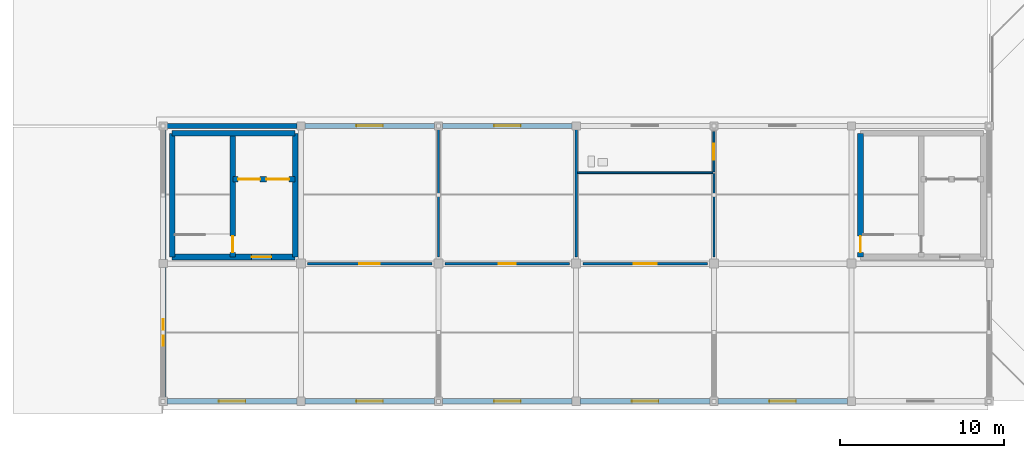
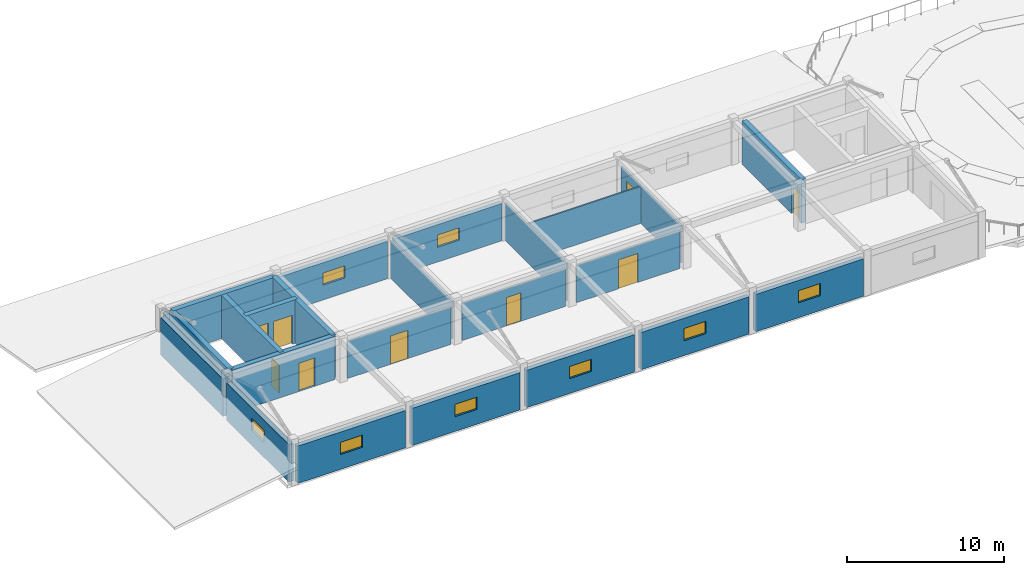
# One storey, part 2 of 5: 25 walls, 9 doors, 8 windows, 17 openings.
"""IFC4 building model written with IfcOpenShell, lengths in metres."""

from ifc_helpers import new_model, si_unit, direction, frame, frame_2d, origin, place, context, subcontext, project, spatial, rectangle, extrude, material, layer, layer_set, type_object, element, fill, save


model = new_model("IFC4")

# Units and contexts
model_context = context("Model", 3, precision=1e-05, world=origin(), true_north=direction((0.0, 1.0)))
body_context = subcontext(model_context, "Body", "Model", "MODEL_VIEW")
ifc_project = project(units=[si_unit("LENGTHUNIT", "METRE"), si_unit("AREAUNIT", "SQUARE_METRE"), si_unit("VOLUMEUNIT", "CUBIC_METRE"), si_unit("PLANEANGLEUNIT", "RADIAN"), si_unit("MASSUNIT", "GRAM", prefix="KILO")], contexts=[model_context])

# Site, building, storey
site_placement = place(None, origin())
site = spatial("IfcSite", under=ifc_project, at=site_placement, CompositionType="ELEMENT")
building_placement = place(site_placement, origin())
building = spatial("IfcBuilding", under=site, at=building_placement, Name="Trelvath General Hospital", CompositionType="ELEMENT")
storey_placement = place(building_placement, frame((0.0, 0.0, 33.0)))
storey = spatial("IfcBuildingStorey", under=building, at=storey_placement, Name="RF", CompositionType="ELEMENT", Elevation=33.0)

# Wall, opening, door
ifc_material_1 = material(Name="Gypsum acoustic steel-stud partition", Category="steel")
ifc_layer_1 = layer(ifc_material_1, 0.14990234375)
ifc_layer_set_1 = layer_set([ifc_layer_1], Name="Gypsum acoustic steel-stud partition")
wall_type_1 = type_object("IfcWallType", Name="ClinicalPartition 150", PredefinedType="PARTITIONING", material=ifc_layer_set_1)
wall_1_placement = place(storey_placement, frame((50.800048828125, 100.800048828125, 0.0), z_axis=(0.0, 0.0, 1.0), x_axis=(1.0, 0.0, 0.0)))
wall_1 = element("IfcWall", 1, at=wall_1_placement, inside=storey, type_object=wall_type_1, Name="Aeromedical Triage Partition RF-1", PredefinedType="PARTITIONING", context=body_context, shape_type="SweptSolid", body=[
    extrude(rectangle(XDim=7.599853515625, YDim=0.14990234375, at=frame_2d((3.7998046875, 0.0))), origin(), (0.0, 0.0, 1.0), 2.8798828125),
])
opening_1_placement = place(wall_1_placement, frame((3.175048828125, 0.0, 0.0)))
opening_1 = element("IfcOpeningElement", 2, at=opening_1_placement, cuts=wall_1, Name="Opening D-F-0281", PredefinedType="OPENING", context=body_context, shape_type="SweptSolid", body=[
    extrude(rectangle(XDim=1.25, YDim=2.199951171875, at=frame_2d((0.625, 1.10009765625))), frame((0.0, 0.0849609375, 0.0), z_axis=(0.0, -1.0, 0.0), x_axis=(1.0, 0.0, 0.0)), (0.0, 0.0, 1.0), 0.169921875),
])
ifc_material_2 = material(Name="Acoustic hospital timber leaf", Category="wood")
door_type_1 = type_object("IfcDoorType", Name="Door Treatment 1250x2200", OperationType="NOTDEFINED", PredefinedType="DOOR", material=ifc_material_2)
door_1_placement = place(opening_1_placement, origin())
door_1 = element("IfcDoor", 3, at=door_1_placement, inside=storey, type_object=door_type_1, Name="Aeromedical Triage Door RF-281", OperationType="SINGLE_SWING_RIGHT", OverallHeight=2.199951171875, OverallWidth=1.25, PredefinedType="DOOR", context=body_context, shape_type="SweptSolid", body=[
    extrude(rectangle(XDim=1.25, YDim=2.199951171875, at=frame_2d((0.625, 1.10009765625))), frame((0.0, 0.02490234375, 0.0), z_axis=(0.0, -1.0, 0.0), x_axis=(1.0, 0.0, 0.0)), (0.0, 0.0, 1.0), 0.050048828125),
])
fill(opening_1, door_1)

wall_2_placement = place(storey_placement, frame((59.199951171875, 100.800048828125, 0.0), z_axis=(0.0, 0.0, 1.0), x_axis=(1.0, 0.0, 0.0)))
wall_2 = element("IfcWall", 4, at=wall_2_placement, inside=storey, type_object=wall_type_1, Name="Flight Dispatch Partition RF-2", PredefinedType="PARTITIONING", context=body_context, shape_type="SweptSolid", body=[
    extrude(rectangle(XDim=7.60009765625, YDim=0.14990234375, at=frame_2d((3.800048828125, 0.0))), origin(), (0.0, 0.0, 1.0), 2.8798828125),
])
opening_2_placement = place(wall_2_placement, frame((3.27490234375, 0.0, 0.0)))
opening_2 = element("IfcOpeningElement", 5, at=opening_2_placement, cuts=wall_2, Name="Opening D-F-0282", PredefinedType="OPENING", context=body_context, shape_type="SweptSolid", body=[
    extrude(rectangle(XDim=1.050048828125, YDim=2.199951171875, at=frame_2d((0.52490234375, 1.10009765625))), frame((0.0, 0.0849609375, 0.0), z_axis=(0.0, -1.0, 0.0), x_axis=(1.0, 0.0, 0.0)), (0.0, 0.0, 1.0), 0.169921875),
])
ifc_material_3 = material(Name="Acoustic hospital timber leaf", Category="wood")
door_type_2 = type_object("IfcDoorType", Name="Door Consult 1050x2200", OperationType="NOTDEFINED", PredefinedType="DOOR", material=ifc_material_3)
door_2_placement = place(opening_2_placement, origin())
door_2 = element("IfcDoor", 6, at=door_2_placement, inside=storey, type_object=door_type_2, Name="Flight Dispatch Door RF-282", OperationType="SINGLE_SWING_LEFT", OverallHeight=2.199951171875, OverallWidth=1.050048828125, PredefinedType="DOOR", context=body_context, shape_type="SweptSolid", body=[
    extrude(rectangle(XDim=1.050048828125, YDim=2.199951171875, at=frame_2d((0.52490234375, 1.10009765625))), frame((0.0, 0.02490234375, 0.0), z_axis=(0.0, -1.0, 0.0), x_axis=(1.0, 0.0, 0.0)), (0.0, 0.0, 1.0), 0.050048828125),
])
fill(opening_2, door_2)

wall_3_placement = place(storey_placement, frame((67.60009765625, 100.800048828125, 0.0), z_axis=(0.0, 0.0, 1.0), x_axis=(1.0, 0.0, 0.0)))
wall_3 = element("IfcWall", 7, at=wall_3_placement, inside=storey, type_object=wall_type_1, Name="Helipad Foam Plant Partition RF-3", PredefinedType="PARTITIONING", context=body_context, shape_type="SweptSolid", body=[
    extrude(rectangle(XDim=7.599853515625, YDim=0.14990234375, at=frame_2d((3.7998046875, 0.0))), origin(), (0.0, 0.0, 1.0), 2.8798828125),
])
opening_3_placement = place(wall_3_placement, frame((3.10009765625, 0.0, 0.0)))
opening_3 = element("IfcOpeningElement", 8, at=opening_3_placement, cuts=wall_3, Name="Opening D-F-0283", PredefinedType="OPENING", context=body_context, shape_type="SweptSolid", body=[
    extrude(rectangle(XDim=1.39990234375, YDim=2.25, at=frame_2d((0.699951171875, 1.125))), frame((0.0, 0.0849609375, 0.0), z_axis=(0.0, -1.0, 0.0), x_axis=(1.0, 0.0, 0.0)), (0.0, 0.0, 1.0), 0.169921875),
])
ifc_material_4 = material(Name="Fire-rated steel plant pair", Category="steel")
door_type_3 = type_object("IfcDoorType", Name="Door Plant 1400x2250", OperationType="DOUBLE_SWING_LEFT", PredefinedType="DOOR", material=ifc_material_4)
door_3_placement = place(opening_3_placement, origin())
door_3 = element("IfcDoor", 9, at=door_3_placement, inside=storey, type_object=door_type_3, Name="Helipad Foam Plant Door RF-283", OperationType="DOUBLE_SWING_LEFT", OverallHeight=2.25, OverallWidth=1.39990234375, PredefinedType="DOOR", context=body_context, shape_type="SweptSolid", body=[
    extrude(rectangle(XDim=1.39990234375, YDim=2.25, at=frame_2d((0.699951171875, 1.125))), frame((0.0, 0.02490234375, 0.0), z_axis=(0.0, -1.0, 0.0), x_axis=(1.0, 0.0, 0.0)), (0.0, 0.0, 1.0), 0.050048828125),
])
fill(opening_3, door_3)

ifc_material_5 = material(Name="Concrete C40/50", Category="concrete")
ifc_layer_2 = layer(ifc_material_5, 0.35009765625)
ifc_layer_set_2 = layer_set([ifc_layer_2], Name="Concrete C40/50")
wall_type_2 = type_object("IfcWallType", Name="CoreShearWall 350", PredefinedType="SHEAR", material=ifc_layer_set_2)
wall_4_placement = place(storey_placement, frame((42.550048828125, 101.199951171875, 0.0), z_axis=(0.0, 0.0, 1.0), x_axis=(1.0, 0.0, 0.0)))
wall_4 = element("IfcWall", 10, at=wall_4_placement, inside=storey, type_object=wall_type_2, Name="Core Shear Wall C1 S RF", PredefinedType="SHEAR", context=body_context, shape_type="SweptSolid", body=[
    extrude(rectangle(XDim=7.5, YDim=0.35009765625, at=frame_2d((3.75, 0.0))), origin(), (0.0, 0.0, 1.0), 3.3798828125),
])
opening_4_placement = place(wall_4_placement, frame((4.85009765625, 0.0, 0.0)))
opening_4 = element("IfcOpeningElement", 11, at=opening_4_placement, cuts=wall_4, Name="Opening FD-LS18", PredefinedType="OPENING", context=body_context, shape_type="SweptSolid", body=[
    extrude(rectangle(XDim=1.199951171875, YDim=2.199951171875, at=frame_2d((0.60009765625, 1.10009765625))), frame((0.0, 0.18505859375, 0.0), z_axis=(0.0, -1.0, 0.0), x_axis=(1.0, 0.0, 0.0)), (0.0, 0.0, 1.0), 0.3701171875),
])
ifc_material_6 = material(Name="Fire-rated steel door", Category="steel")
door_type_4 = type_object("IfcDoorType", Name="Door FireLobby 1200x2200", OperationType="NOTDEFINED", PredefinedType="DOOR", material=ifc_material_6)
door_4_placement = place(opening_4_placement, origin())
door_4 = element("IfcDoor", 12, at=door_4_placement, inside=storey, type_object=door_type_4, Name="Fire Lobby South Door C1 RF", OperationType="SINGLE_SWING_LEFT", OverallHeight=2.199951171875, OverallWidth=1.199951171875, PredefinedType="DOOR", context=body_context, shape_type="SweptSolid", body=[
    extrude(rectangle(XDim=1.199951171875, YDim=2.199951171875, at=frame_2d((0.60009765625, 1.10009765625))), frame((0.0, 0.02490234375, 0.0), z_axis=(0.0, -1.0, 0.0), x_axis=(1.0, 0.0, 0.0)), (0.0, 0.0, 1.0), 0.050048828125),
])
fill(opening_4, door_4)

# Walls
wall_5_placement = place(storey_placement, frame((42.550048828125, 108.75, 0.0), z_axis=(0.0, 0.0, 1.0), x_axis=(1.0, 0.0, 0.0)))
element("IfcWall", 13, at=wall_5_placement, inside=storey, type_object=wall_type_2, Name="Core Shear Wall C1 N RF", PredefinedType="SHEAR", context=body_context, shape_type="SweptSolid", body=[
    extrude(rectangle(XDim=7.5, YDim=0.35009765625, at=frame_2d((3.75, 0.0))), origin(), (0.0, 0.0, 1.0), 3.3798828125),
])
for number, where, z_axis, x_axis, name in (
    (14, (42.550048828125, 101.199951171875, 0.0), (0.0, 0.0, 1.0), (0.0, 1.0, 0.0), "Core Shear Wall C1 W RF"),
    (15, (50.050048828125, 101.199951171875, 0.0), (0.0, 0.0, 1.0), (0.0, 1.0, 0.0), "Core Shear Wall C1 E RF"),
):
    element("IfcWall", number, at=place(storey_placement, frame(where, z_axis=z_axis, x_axis=x_axis)), inside=storey, type_object=wall_type_2, Name=name, PredefinedType="SHEAR", context=body_context, shape_type="SweptSolid", body=[
        extrude(rectangle(XDim=7.550048828125, YDim=0.35009765625, at=frame_2d((3.77490234375, 0.0))), origin(), (0.0, 0.0, 1.0), 3.3798828125),
    ])

# Wall, opening, door
wall_6_placement = place(storey_placement, frame((46.25, 101.199951171875, 0.0), z_axis=(0.0, 0.0, 1.0), x_axis=(0.0, 1.0, 0.0)))
wall_6 = element("IfcWall", 16, at=wall_6_placement, inside=storey, type_object=wall_type_2, Name="Core Shear Wall C1 SPINE RF", PredefinedType="SHEAR", context=body_context, shape_type="SweptSolid", body=[
    extrude(rectangle(XDim=7.550048828125, YDim=0.35009765625, at=frame_2d((3.77490234375, 0.0))), origin(), (0.0, 0.0, 1.0), 3.3798828125),
])
opening_5_placement = place(wall_6_placement, frame((0.280029296875, 0.0, 0.0)))
opening_5 = element("IfcOpeningElement", 17, at=opening_5_placement, cuts=wall_6, Name="Opening FD-S18", PredefinedType="OPENING", context=body_context, shape_type="SweptSolid", body=[
    extrude(rectangle(XDim=1.0, YDim=2.14990234375, at=frame_2d((0.5, 1.074951171875))), frame((0.0, 0.18505859375, 0.0), z_axis=(0.0, -1.0, 0.0), x_axis=(1.0, 0.0, 0.0)), (0.0, 0.0, 1.0), 0.3701171875),
])
ifc_material_7 = material(Name="Fire-rated steel door", Category="steel")
door_type_5 = type_object("IfcDoorType", Name="Door FireStair 1100x2150", OperationType="NOTDEFINED", PredefinedType="DOOR", material=ifc_material_7)
door_5_placement = place(opening_5_placement, origin())
door_5 = element("IfcDoor", 18, at=door_5_placement, inside=storey, type_object=door_type_5, Name="Exit Stair Door ST1 RF", OperationType="SINGLE_SWING_RIGHT", OverallHeight=2.14990234375, OverallWidth=1.0, PredefinedType="DOOR", context=body_context, shape_type="SweptSolid", body=[
    extrude(rectangle(XDim=1.0, YDim=2.14990234375, at=frame_2d((0.5, 1.074951171875))), frame((0.0, 0.02490234375, 0.0), z_axis=(0.0, -1.0, 0.0), x_axis=(1.0, 0.0, 0.0)), (0.0, 0.0, 1.0), 0.050048828125),
])
fill(opening_5, door_5)

# Wall, openings, doors
wall_7_placement = place(storey_placement, frame((46.25, 105.949951171875, 0.0), z_axis=(0.0, 0.0, 1.0), x_axis=(1.0, 0.0, 0.0)))
wall_7 = element("IfcWall", 19, at=wall_7_placement, inside=storey, type_object=wall_type_2, Name="Core Shear Wall C1 SHAFT RF", PredefinedType="SHEAR", context=body_context, shape_type="SweptSolid", body=[
    extrude(rectangle(XDim=3.800048828125, YDim=0.35009765625, at=frame_2d((1.89990234375, 0.0))), origin(), (0.0, 0.0, 1.0), 3.3798828125),
])
opening_6_placement = place(wall_7_placement, frame((0.320068359375, 0.0, 0.0)))
opening_6 = element("IfcOpeningElement", 20, at=opening_6_placement, cuts=wall_7, Name="Opening LD-FF1-8", PredefinedType="OPENING", context=body_context, shape_type="SweptSolid", body=[
    extrude(rectangle(XDim=1.35009765625, YDim=2.25, at=frame_2d((0.675048828125, 1.125))), frame((0.0, 0.18505859375, 0.0), z_axis=(0.0, -1.0, 0.0), x_axis=(1.0, 0.0, 0.0)), (0.0, 0.0, 1.0), 0.3701171875),
])
opening_7_placement = place(wall_7_placement, frame((2.0400390625, 0.0, 0.0)))
opening_7 = element("IfcOpeningElement", 21, at=opening_7_placement, cuts=wall_7, Name="Opening LD-BD1-8", PredefinedType="OPENING", context=body_context, shape_type="SweptSolid", body=[
    extrude(rectangle(XDim=1.39990234375, YDim=2.25, at=frame_2d((0.699951171875, 1.125))), frame((0.0, 0.18505859375, 0.0), z_axis=(0.0, -1.0, 0.0), x_axis=(1.0, 0.0, 0.0)), (0.0, 0.0, 1.0), 0.3701171875),
])
ifc_material_8 = material(Name="Stainless steel stretcher lift landing door", Category="steel")
door_type_6 = type_object("IfcDoorType", Name="Door LiftBed 1400x2250", OperationType="SLIDING_TO_LEFT", PredefinedType="DOOR", material=ifc_material_8)
door_6_placement = place(opening_7_placement, origin())
door_6 = element("IfcDoor", 22, at=door_6_placement, inside=storey, type_object=door_type_6, Name="Lift Landing Sliding Door LF-BD1 RF", OperationType="SLIDING_TO_LEFT", OverallHeight=2.25, OverallWidth=1.39990234375, PredefinedType="DOOR", context=body_context, shape_type="SweptSolid", body=[
    extrude(rectangle(XDim=1.39990234375, YDim=2.25, at=frame_2d((0.699951171875, 1.125))), frame((0.0, 0.02490234375, 0.0), z_axis=(0.0, -1.0, 0.0), x_axis=(1.0, 0.0, 0.0)), (0.0, 0.0, 1.0), 0.050048828125),
])
fill(opening_7, door_6)
ifc_material_9 = material(Name="Fire-rated stainless lift landing door")
door_type_7 = type_object("IfcDoorType", Name="Door LiftFire 1350x2250", OperationType="SLIDING_TO_LEFT", PredefinedType="DOOR", material=ifc_material_9)
door_7_placement = place(opening_6_placement, origin())
door_7 = element("IfcDoor", 23, at=door_7_placement, inside=storey, type_object=door_type_7, Name="Lift Landing Sliding Door LF-FF1 RF", OperationType="SLIDING_TO_LEFT", OverallHeight=2.25, OverallWidth=1.35009765625, PredefinedType="DOOR", context=body_context, shape_type="SweptSolid", body=[
    extrude(rectangle(XDim=1.35009765625, YDim=2.25, at=frame_2d((0.675048828125, 1.125))), frame((0.0, 0.02490234375, 0.0), z_axis=(0.0, -1.0, 0.0), x_axis=(1.0, 0.0, 0.0)), (0.0, 0.0, 1.0), 0.050048828125),
])
fill(opening_6, door_7)

# Wall, opening, door
wall_8_placement = place(storey_placement, frame((84.550048828125, 101.199951171875, 0.0), z_axis=(0.0, 0.0, 1.0), x_axis=(0.0, 1.0, 0.0)))
wall_8 = element("IfcWall", 24, at=wall_8_placement, inside=storey, type_object=wall_type_2, Name="Core Shear Wall C2 W RF", PredefinedType="SHEAR", context=body_context, shape_type="SweptSolid", body=[
    extrude(rectangle(XDim=7.550048828125, YDim=0.35009765625, at=frame_2d((3.77490234375, 0.0))), origin(), (0.0, 0.0, 1.0), 3.3798828125),
])
opening_8_placement = place(wall_8_placement, frame((0.280029296875, 0.0, 0.0)))
opening_8 = element("IfcOpeningElement", 25, at=opening_8_placement, cuts=wall_8, Name="Opening FD-SW28", PredefinedType="OPENING", context=body_context, shape_type="SweptSolid", body=[
    extrude(rectangle(XDim=1.0, YDim=2.14990234375, at=frame_2d((0.5, 1.074951171875))), frame((0.0, 0.18505859375, 0.0), z_axis=(0.0, -1.0, 0.0), x_axis=(1.0, 0.0, 0.0)), (0.0, 0.0, 1.0), 0.3701171875),
])
door_8_placement = place(opening_8_placement, origin())
door_8 = element("IfcDoor", 26, at=door_8_placement, inside=storey, type_object=door_type_5, Name="West Corridor Stair Door ST2 RF", OperationType="SINGLE_SWING_RIGHT", OverallHeight=2.14990234375, OverallWidth=1.0, PredefinedType="DOOR", context=body_context, shape_type="SweptSolid", body=[
    extrude(rectangle(XDim=1.0, YDim=2.14990234375, at=frame_2d((0.5, 1.074951171875))), frame((0.0, 0.02490234375, 0.0), z_axis=(0.0, -1.0, 0.0), x_axis=(1.0, 0.0, 0.0)), (0.0, 0.0, 1.0), 0.050048828125),
])
fill(opening_8, door_8)

# Wall
ifc_material_10 = material(Name="Moisture-resistant tile partition")
ifc_layer_3 = layer(ifc_material_10, 0.110107421875)
ifc_layer_set_3 = layer_set([ifc_layer_3], Name="Moisture-resistant tile partition")
wall_type_3 = type_object("IfcWallType", Name="EnSuiteWetWall 110", PredefinedType="PARTITIONING", material=ifc_layer_set_3)
wall_9_placement = place(storey_placement, frame((67.280029296875, 106.340087890625, 0.0), z_axis=(0.0, 0.0, 1.0), x_axis=(1.0, 0.0, 0.0)))
element("IfcWall", 27, at=wall_9_placement, inside=storey, type_object=wall_type_3, Name="Aeromedical WC Dividing Wall RF", PredefinedType="PARTITIONING", context=body_context, shape_type="SweptSolid", body=[
    extrude(rectangle(XDim=8.260009765625, YDim=0.110107421875, at=frame_2d((4.1298828125, 0.0))), origin(), (0.0, 0.0, 1.0), 2.8798828125),
])

# Wall, opening, door
wall_10_placement = place(storey_placement, frame((75.60009765625, 106.39990234375, 0.0), z_axis=(0.0, 0.0, 1.0), x_axis=(0.0, 1.0, 0.0)))
wall_10 = element("IfcWall", 28, at=wall_10_placement, inside=storey, type_object=wall_type_3, Name="Aeromedical Accessible WC Partition RF-8", PredefinedType="PARTITIONING", context=body_context, shape_type="SweptSolid", body=[
    extrude(rectangle(XDim=2.4501953125, YDim=0.110107421875, at=frame_2d((1.22509765625, 0.0))), origin(), (0.0, 0.0, 1.0), 2.8798828125),
])
opening_9_placement = place(wall_10_placement, frame((0.75, 0.0, 0.0)))
opening_9 = element("IfcOpeningElement", 29, at=opening_9_placement, cuts=wall_10, Name="Opening D-F-0284", PredefinedType="OPENING", context=body_context, shape_type="SweptSolid", body=[
    extrude(rectangle(XDim=0.949951171875, YDim=2.14990234375, at=frame_2d((0.47509765625, 1.074951171875))), frame((0.0, 0.06494140625, 0.0), z_axis=(0.0, -1.0, 0.0), x_axis=(1.0, 0.0, 0.0)), (0.0, 0.0, 1.0), 0.130126953125),
])
ifc_material_11 = material(Name="Moisture-sealed timber leaf", Category="wood")
door_type_8 = type_object("IfcDoorType", Name="Door AccessibleWC 950x2150", OperationType="NOTDEFINED", PredefinedType="DOOR", material=ifc_material_11)
door_9_placement = place(opening_9_placement, origin())
door_9 = element("IfcDoor", 30, at=door_9_placement, inside=storey, type_object=door_type_8, Name="Aeromedical Accessible WC Door RF-284", OperationType="SINGLE_SWING_RIGHT", OverallHeight=2.14990234375, OverallWidth=0.949951171875, PredefinedType="DOOR", context=body_context, shape_type="SweptSolid", body=[
    extrude(rectangle(XDim=0.949951171875, YDim=2.14990234375, at=frame_2d((0.47509765625, 1.074951171875))), frame((0.0, 0.02490234375, 0.0), z_axis=(0.0, -1.0, 0.0), x_axis=(1.0, 0.0, 0.0)), (0.0, 0.0, 1.0), 0.050048828125),
])
fill(opening_9, door_9)

# Wall, opening, window
ifc_material_12 = material(Name="Concrete C35/45", Category="concrete")
ifc_layer_4 = layer(ifc_material_12, 0.320068359375)
ifc_layer_set_4 = layer_set([ifc_layer_4], Name="Concrete C35/45")
wall_type_4 = type_object("IfcWallType", Name="ExtThermalWall 320", PredefinedType="SOLIDWALL", material=ifc_layer_set_4)
wall_11_placement = place(storey_placement, frame((50.155029296875, 92.39990234375, 0.0), z_axis=(0.0, 0.0, 1.0), x_axis=(-1.0, 0.0, 0.0)))
wall_11 = element("IfcWall", 31, at=wall_11_placement, inside=storey, type_object=wall_type_4, Name="Exterior Concrete Wall RF-632", PredefinedType="SOLIDWALL", context=body_context, shape_type="SweptSolid", body=[
    extrude(rectangle(XDim=7.909912109375, YDim=0.320068359375, at=frame_2d((3.955078125, 0.0))), origin(), (0.0, 0.0, 1.0), 2.89990234375),
])
opening_10_placement = place(wall_11_placement, frame((3.14501953125, 0.0, 1.14990234375)))
opening_10 = element("IfcOpeningElement", 32, at=opening_10_placement, cuts=wall_11, Name="Opening WN-R-1069", PredefinedType="OPENING", context=body_context, shape_type="SweptSolid", body=[
    extrude(rectangle(XDim=1.6201171875, YDim=0.949951171875, at=frame_2d((0.81005859375, 0.47509765625))), frame((0.0, 0.169921875, 0.0), z_axis=(0.0, -1.0, 0.0), x_axis=(1.0, 0.0, 0.0)), (0.0, 0.0, 1.0), 0.340087890625),
])
ifc_material_13 = material(Name="Low-E laminated glass", Category="glass")
window_type = type_object("IfcWindowType", Name="Window EmergencyClere 1620x950", PartitioningType="DOUBLE_PANEL_VERTICAL", PredefinedType="WINDOW", material=ifc_material_13)
window_1_placement = place(opening_10_placement, origin())
window_1 = element("IfcWindow", 33, at=window_1_placement, inside=storey, type_object=window_type, Name="Helipad Headhouse Clerestory Window RF-1069", OverallHeight=0.949951171875, OverallWidth=1.6201171875, PartitioningType="SINGLE_PANEL", PredefinedType="WINDOW", context=body_context, shape_type="SweptSolid", body=[
    extrude(rectangle(XDim=1.6201171875, YDim=0.949951171875, at=frame_2d((0.81005859375, 0.47509765625))), frame((0.0, 0.030029296875, 0.0), z_axis=(0.0, -1.0, 0.0), x_axis=(1.0, 0.0, 0.0)), (0.0, 0.0, 1.0), 0.06005859375),
])
fill(opening_10, window_1)

wall_12_placement = place(storey_placement, frame((42.0, 92.64501953125, 0.0), z_axis=(0.0, 0.0, 1.0), x_axis=(0.0, 1.0, 0.0)))
wall_12 = element("IfcWall", 34, at=wall_12_placement, inside=storey, type_object=wall_type_4, Name="Exterior Concrete Wall RF-633", PredefinedType="SOLIDWALL", context=body_context, shape_type="SweptSolid", body=[
    extrude(rectangle(XDim=7.909912109375, YDim=0.320068359375, at=frame_2d((3.955078125, 0.0))), origin(), (0.0, 0.0, 1.0), 2.89990234375),
])
opening_11_placement = place(wall_12_placement, frame((3.14501953125, 0.0, 1.14990234375)))
opening_11 = element("IfcOpeningElement", 35, at=opening_11_placement, cuts=wall_12, Name="Opening WN-R-1070", PredefinedType="OPENING", context=body_context, shape_type="SweptSolid", body=[
    extrude(rectangle(XDim=1.6201171875, YDim=0.949951171875, at=frame_2d((0.81005859375, 0.47509765625))), frame((0.0, 0.169921875, 0.0), z_axis=(0.0, -1.0, 0.0), x_axis=(1.0, 0.0, 0.0)), (0.0, 0.0, 1.0), 0.340087890625),
])
window_2_placement = place(opening_11_placement, origin())
window_2 = element("IfcWindow", 36, at=window_2_placement, inside=storey, type_object=window_type, Name="Helipad Headhouse Clerestory Window RF-1070", OverallHeight=0.949951171875, OverallWidth=1.6201171875, PartitioningType="SINGLE_PANEL", PredefinedType="WINDOW", context=body_context, shape_type="SweptSolid", body=[
    extrude(rectangle(XDim=1.6201171875, YDim=0.949951171875, at=frame_2d((0.81005859375, 0.47509765625))), frame((0.0, 0.030029296875, 0.0), z_axis=(0.0, -1.0, 0.0), x_axis=(1.0, 0.0, 0.0)), (0.0, 0.0, 1.0), 0.06005859375),
])
fill(opening_11, window_2)

# Walls
wall_13_placement = place(storey_placement, frame((42.2451171875, 109.199951171875, 0.0), z_axis=(0.0, 0.0, 1.0), x_axis=(1.0, 0.0, 0.0)))
element("IfcWall", 37, at=wall_13_placement, inside=storey, type_object=wall_type_4, Name="Exterior Concrete Wall RF-634", PredefinedType="SOLIDWALL", context=body_context, shape_type="SweptSolid", body=[
    extrude(rectangle(XDim=7.909912109375, YDim=0.320068359375, at=frame_2d((3.955078125, 0.0))), origin(), (0.0, 0.0, 1.0), 2.89990234375),
])
wall_14_placement = place(storey_placement, frame((42.0, 101.044921875, 0.0), z_axis=(0.0, 0.0, 1.0), x_axis=(0.0, 1.0, 0.0)))
element("IfcWall", 38, at=wall_14_placement, inside=storey, type_object=wall_type_4, Name="Exterior Concrete Wall RF-635", PredefinedType="SOLIDWALL", context=body_context, shape_type="SweptSolid", body=[
    extrude(rectangle(XDim=7.91015625, YDim=0.320068359375, at=frame_2d((3.955078125, 0.0))), origin(), (0.0, 0.0, 1.0), 2.89990234375),
])

# Wall, opening, window
wall_15_placement = place(storey_placement, frame((58.554931640625, 92.39990234375, 0.0), z_axis=(0.0, 0.0, 1.0), x_axis=(-1.0, 0.0, 0.0)))
wall_15 = element("IfcWall", 39, at=wall_15_placement, inside=storey, type_object=wall_type_4, Name="Exterior Concrete Wall RF-636", PredefinedType="SOLIDWALL", context=body_context, shape_type="SweptSolid", body=[
    extrude(rectangle(XDim=7.909912109375, YDim=0.320068359375, at=frame_2d((3.955078125, 0.0))), origin(), (0.0, 0.0, 1.0), 2.89990234375),
])
opening_12_placement = place(wall_15_placement, frame((3.14501953125, 0.0, 1.14990234375)))
opening_12 = element("IfcOpeningElement", 40, at=opening_12_placement, cuts=wall_15, Name="Opening WN-R-1071", PredefinedType="OPENING", context=body_context, shape_type="SweptSolid", body=[
    extrude(rectangle(XDim=1.6201171875, YDim=0.949951171875, at=frame_2d((0.81005859375, 0.47509765625))), frame((0.0, 0.169921875, 0.0), z_axis=(0.0, -1.0, 0.0), x_axis=(1.0, 0.0, 0.0)), (0.0, 0.0, 1.0), 0.340087890625),
])
window_3_placement = place(opening_12_placement, origin())
window_3 = element("IfcWindow", 41, at=window_3_placement, inside=storey, type_object=window_type, Name="Helipad Headhouse Clerestory Window RF-1071", OverallHeight=0.949951171875, OverallWidth=1.6201171875, PartitioningType="SINGLE_PANEL", PredefinedType="WINDOW", context=body_context, shape_type="SweptSolid", body=[
    extrude(rectangle(XDim=1.6201171875, YDim=0.949951171875, at=frame_2d((0.81005859375, 0.47509765625))), frame((0.0, 0.030029296875, 0.0), z_axis=(0.0, -1.0, 0.0), x_axis=(1.0, 0.0, 0.0)), (0.0, 0.0, 1.0), 0.06005859375),
])
fill(opening_12, window_3)

wall_16_placement = place(storey_placement, frame((50.64501953125, 109.199951171875, 0.0), z_axis=(0.0, 0.0, 1.0), x_axis=(1.0, 0.0, 0.0)))
wall_16 = element("IfcWall", 42, at=wall_16_placement, inside=storey, type_object=wall_type_4, Name="Exterior Concrete Wall RF-637", PredefinedType="SOLIDWALL", context=body_context, shape_type="SweptSolid", body=[
    extrude(rectangle(XDim=7.909912109375, YDim=0.320068359375, at=frame_2d((3.955078125, 0.0))), origin(), (0.0, 0.0, 1.0), 2.89990234375),
])
opening_13_placement = place(wall_16_placement, frame((3.14501953125, 0.0, 1.14990234375)))
opening_13 = element("IfcOpeningElement", 43, at=opening_13_placement, cuts=wall_16, Name="Opening WN-R-1072", PredefinedType="OPENING", context=body_context, shape_type="SweptSolid", body=[
    extrude(rectangle(XDim=1.6201171875, YDim=0.949951171875, at=frame_2d((0.81005859375, 0.47509765625))), frame((0.0, 0.169921875, 0.0), z_axis=(0.0, -1.0, 0.0), x_axis=(1.0, 0.0, 0.0)), (0.0, 0.0, 1.0), 0.340087890625),
])
window_4_placement = place(opening_13_placement, origin())
window_4 = element("IfcWindow", 44, at=window_4_placement, inside=storey, type_object=window_type, Name="Helipad Headhouse Clerestory Window RF-1072", OverallHeight=0.949951171875, OverallWidth=1.6201171875, PartitioningType="SINGLE_PANEL", PredefinedType="WINDOW", context=body_context, shape_type="SweptSolid", body=[
    extrude(rectangle(XDim=1.6201171875, YDim=0.949951171875, at=frame_2d((0.81005859375, 0.47509765625))), frame((0.0, 0.030029296875, 0.0), z_axis=(0.0, -1.0, 0.0), x_axis=(1.0, 0.0, 0.0)), (0.0, 0.0, 1.0), 0.06005859375),
])
fill(opening_13, window_4)

wall_17_placement = place(storey_placement, frame((66.955078125, 92.39990234375, 0.0), z_axis=(0.0, 0.0, 1.0), x_axis=(-1.0, 0.0, 0.0)))
wall_17 = element("IfcWall", 45, at=wall_17_placement, inside=storey, type_object=wall_type_4, Name="Exterior Concrete Wall RF-638", PredefinedType="SOLIDWALL", context=body_context, shape_type="SweptSolid", body=[
    extrude(rectangle(XDim=7.91015625, YDim=0.320068359375, at=frame_2d((3.955078125, 0.0))), origin(), (0.0, 0.0, 1.0), 2.89990234375),
])
opening_14_placement = place(wall_17_placement, frame((3.14501953125, 0.0, 1.14990234375)))
opening_14 = element("IfcOpeningElement", 46, at=opening_14_placement, cuts=wall_17, Name="Opening WN-R-1073", PredefinedType="OPENING", context=body_context, shape_type="SweptSolid", body=[
    extrude(rectangle(XDim=1.6201171875, YDim=0.949951171875, at=frame_2d((0.81005859375, 0.47509765625))), frame((0.0, 0.169921875, 0.0), z_axis=(0.0, -1.0, 0.0), x_axis=(1.0, 0.0, 0.0)), (0.0, 0.0, 1.0), 0.340087890625),
])
window_5_placement = place(opening_14_placement, origin())
window_5 = element("IfcWindow", 47, at=window_5_placement, inside=storey, type_object=window_type, Name="Helipad Headhouse Clerestory Window RF-1073", OverallHeight=0.949951171875, OverallWidth=1.6201171875, PartitioningType="SINGLE_PANEL", PredefinedType="WINDOW", context=body_context, shape_type="SweptSolid", body=[
    extrude(rectangle(XDim=1.6201171875, YDim=0.949951171875, at=frame_2d((0.81005859375, 0.47509765625))), frame((0.0, 0.030029296875, 0.0), z_axis=(0.0, -1.0, 0.0), x_axis=(1.0, 0.0, 0.0)), (0.0, 0.0, 1.0), 0.06005859375),
])
fill(opening_14, window_5)

wall_18_placement = place(storey_placement, frame((59.044921875, 109.199951171875, 0.0), z_axis=(0.0, 0.0, 1.0), x_axis=(1.0, 0.0, 0.0)))
wall_18 = element("IfcWall", 48, at=wall_18_placement, inside=storey, type_object=wall_type_4, Name="Exterior Concrete Wall RF-639", PredefinedType="SOLIDWALL", context=body_context, shape_type="SweptSolid", body=[
    extrude(rectangle(XDim=7.91015625, YDim=0.320068359375, at=frame_2d((3.955078125, 0.0))), origin(), (0.0, 0.0, 1.0), 2.89990234375),
])
opening_15_placement = place(wall_18_placement, frame((3.14501953125, 0.0, 1.14990234375)))
opening_15 = element("IfcOpeningElement", 49, at=opening_15_placement, cuts=wall_18, Name="Opening WN-R-1074", PredefinedType="OPENING", context=body_context, shape_type="SweptSolid", body=[
    extrude(rectangle(XDim=1.6201171875, YDim=0.949951171875, at=frame_2d((0.81005859375, 0.47509765625))), frame((0.0, 0.169921875, 0.0), z_axis=(0.0, -1.0, 0.0), x_axis=(1.0, 0.0, 0.0)), (0.0, 0.0, 1.0), 0.340087890625),
])
window_6_placement = place(opening_15_placement, origin())
window_6 = element("IfcWindow", 50, at=window_6_placement, inside=storey, type_object=window_type, Name="Helipad Headhouse Clerestory Window RF-1074", OverallHeight=0.949951171875, OverallWidth=1.6201171875, PartitioningType="SINGLE_PANEL", PredefinedType="WINDOW", context=body_context, shape_type="SweptSolid", body=[
    extrude(rectangle(XDim=1.6201171875, YDim=0.949951171875, at=frame_2d((0.81005859375, 0.47509765625))), frame((0.0, 0.030029296875, 0.0), z_axis=(0.0, -1.0, 0.0), x_axis=(1.0, 0.0, 0.0)), (0.0, 0.0, 1.0), 0.06005859375),
])
fill(opening_15, window_6)

wall_19_placement = place(storey_placement, frame((75.35498046875, 92.39990234375, 0.0), z_axis=(0.0, 0.0, 1.0), x_axis=(-1.0, 0.0, 0.0)))
wall_19 = element("IfcWall", 51, at=wall_19_placement, inside=storey, type_object=wall_type_4, Name="Exterior Concrete Wall RF-640", PredefinedType="SOLIDWALL", context=body_context, shape_type="SweptSolid", body=[
    extrude(rectangle(XDim=7.909912109375, YDim=0.320068359375, at=frame_2d((3.955078125, 0.0))), origin(), (0.0, 0.0, 1.0), 2.89990234375),
])
opening_16_placement = place(wall_19_placement, frame((3.14501953125, 0.0, 1.14990234375)))
opening_16 = element("IfcOpeningElement", 52, at=opening_16_placement, cuts=wall_19, Name="Opening WN-R-1075", PredefinedType="OPENING", context=body_context, shape_type="SweptSolid", body=[
    extrude(rectangle(XDim=1.6201171875, YDim=0.949951171875, at=frame_2d((0.81005859375, 0.47509765625))), frame((0.0, 0.169921875, 0.0), z_axis=(0.0, -1.0, 0.0), x_axis=(1.0, 0.0, 0.0)), (0.0, 0.0, 1.0), 0.340087890625),
])
window_7_placement = place(opening_16_placement, origin())
window_7 = element("IfcWindow", 53, at=window_7_placement, inside=storey, type_object=window_type, Name="Helipad Headhouse Clerestory Window RF-1075", OverallHeight=0.949951171875, OverallWidth=1.6201171875, PartitioningType="SINGLE_PANEL", PredefinedType="WINDOW", context=body_context, shape_type="SweptSolid", body=[
    extrude(rectangle(XDim=1.6201171875, YDim=0.949951171875, at=frame_2d((0.81005859375, 0.47509765625))), frame((0.0, 0.030029296875, 0.0), z_axis=(0.0, -1.0, 0.0), x_axis=(1.0, 0.0, 0.0)), (0.0, 0.0, 1.0), 0.06005859375),
])
fill(opening_16, window_7)

wall_20_placement = place(storey_placement, frame((83.7548828125, 92.39990234375, 0.0), z_axis=(0.0, 0.0, 1.0), x_axis=(-1.0, 0.0, 0.0)))
wall_20 = element("IfcWall", 54, at=wall_20_placement, inside=storey, type_object=wall_type_4, Name="Exterior Concrete Wall RF-642", PredefinedType="SOLIDWALL", context=body_context, shape_type="SweptSolid", body=[
    extrude(rectangle(XDim=7.909912109375, YDim=0.320068359375, at=frame_2d((3.955078125, 0.0))), origin(), (0.0, 0.0, 1.0), 2.89990234375),
])
opening_17_placement = place(wall_20_placement, frame((3.14501953125, 0.0, 1.14990234375)))
opening_17 = element("IfcOpeningElement", 55, at=opening_17_placement, cuts=wall_20, Name="Opening WN-R-1077", PredefinedType="OPENING", context=body_context, shape_type="SweptSolid", body=[
    extrude(rectangle(XDim=1.6201171875, YDim=0.949951171875, at=frame_2d((0.81005859375, 0.47509765625))), frame((0.0, 0.169921875, 0.0), z_axis=(0.0, -1.0, 0.0), x_axis=(1.0, 0.0, 0.0)), (0.0, 0.0, 1.0), 0.340087890625),
])
window_8_placement = place(opening_17_placement, origin())
window_8 = element("IfcWindow", 56, at=window_8_placement, inside=storey, type_object=window_type, Name="Helipad Headhouse Clerestory Window RF-1077", OverallHeight=0.949951171875, OverallWidth=1.6201171875, PartitioningType="SINGLE_PANEL", PredefinedType="WINDOW", context=body_context, shape_type="SweptSolid", body=[
    extrude(rectangle(XDim=1.6201171875, YDim=0.949951171875, at=frame_2d((0.81005859375, 0.47509765625))), frame((0.0, 0.030029296875, 0.0), z_axis=(0.0, -1.0, 0.0), x_axis=(1.0, 0.0, 0.0)), (0.0, 0.0, 1.0), 0.06005859375),
])
fill(opening_17, window_8)

# Walls
ifc_material_14 = material(Name="Gypsum acoustic steel-stud partition", Category="steel")
ifc_layer_5 = layer(ifc_material_14, 0.1298828125)
ifc_layer_set_5 = layer_set([ifc_layer_5], Name="Gypsum acoustic steel-stud partition")
wall_type_5 = type_object("IfcWallType", Name="WardPartition 130", PredefinedType="PARTITIONING", material=ifc_layer_set_5)
for number, where, z_axis, x_axis, name in (
    (57, (58.800048828125, 101.199951171875, 0.0), (0.0, 0.0, 1.0), (0.0, 1.0, 0.0), "Aeromedical Dividing Partition RF-4"),
    (58, (67.199951171875, 101.199951171875, 0.0), (0.0, 0.0, 1.0), (0.0, 1.0, 0.0), "Aeromedical Dividing Partition RF-5"),
):
    element("IfcWall", number, at=place(storey_placement, frame(where, z_axis=z_axis, x_axis=x_axis)), inside=storey, type_object=wall_type_5, Name=name, PredefinedType="PARTITIONING", context=body_context, shape_type="SweptSolid", body=[
        extrude(rectangle(XDim=7.840087890625, YDim=0.1298828125, at=frame_2d((3.919921875, 0.0))), origin(), (0.0, 0.0, 1.0), 2.8798828125),
    ])
wall_21_placement = place(storey_placement, frame((75.60009765625, 101.199951171875, 0.0), z_axis=(0.0, 0.0, 1.0), x_axis=(0.0, 1.0, 0.0)))
element("IfcWall", 59, at=wall_21_placement, inside=storey, type_object=wall_type_5, Name="Foam Plant East Wall RF", PredefinedType="PARTITIONING", context=body_context, shape_type="SweptSolid", body=[
    extrude(rectangle(XDim=5.10009765625, YDim=0.1298828125, at=frame_2d((2.550048828125, 0.0))), origin(), (0.0, 0.0, 1.0), 2.8798828125),
])

save(model, "model.ifc")
